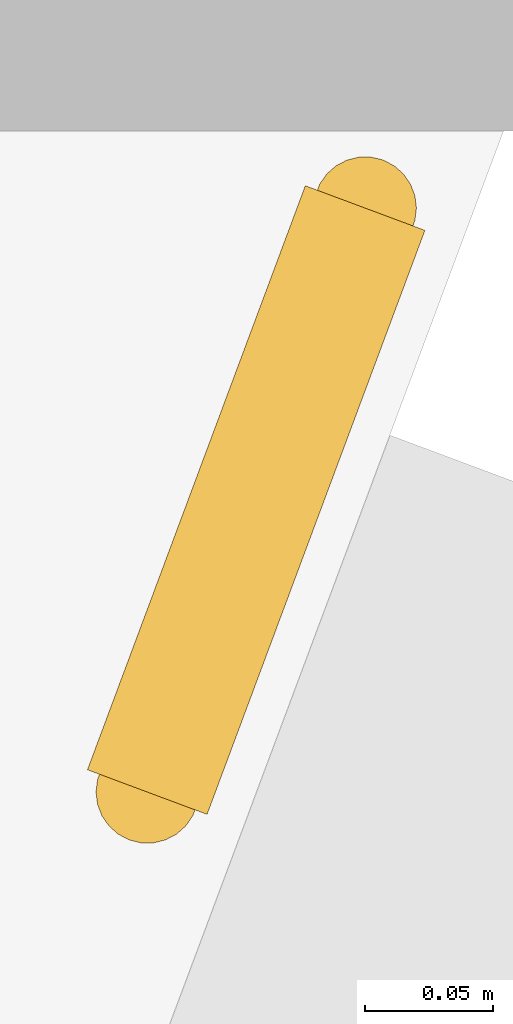
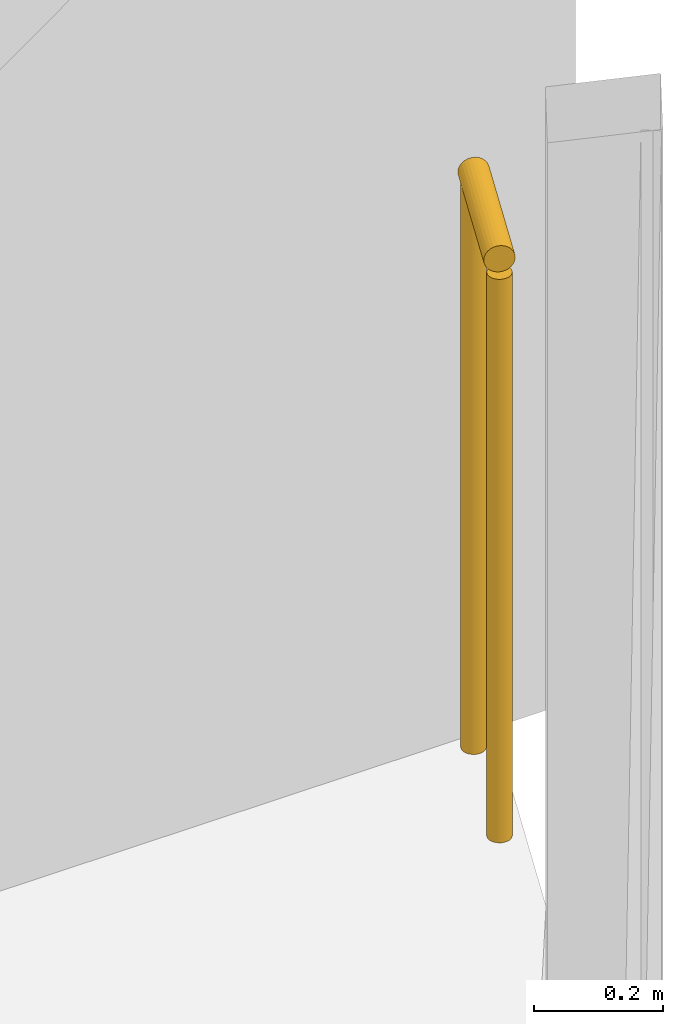
# One storey, part 30 of 31: 1 railing.
"""IFC4 building model written with IfcOpenShell, lengths in metres."""

from ifc_helpers import new_model, si_unit, direction, frame, origin, origin_2d, place, context, subcontext, project, spatial, circle, extrude, material, type_object, element, save


model = new_model("IFC4")

# Units and contexts
model_context = context("Model", 3, precision=1e-05, world=origin(), true_north=direction((0.0, 1.0)))
body_context = subcontext(model_context, "Body", "Model", "MODEL_VIEW")
ifc_project = project(units=[si_unit("LENGTHUNIT", "METRE"), si_unit("AREAUNIT", "SQUARE_METRE"), si_unit("VOLUMEUNIT", "CUBIC_METRE"), si_unit("PLANEANGLEUNIT", "RADIAN"), si_unit("MASSUNIT", "GRAM", prefix="KILO")], contexts=[model_context])

# Site, building, storey
site_placement = place(None, origin())
site = spatial("IfcSite", under=ifc_project, at=site_placement, CompositionType="ELEMENT")
building_placement = place(site_placement, origin())
building = spatial("IfcBuilding", under=site, at=building_placement, Name="Orlundy Tower", CompositionType="ELEMENT")
storey_placement = place(building_placement, frame((0.0, 0.0, 94.699951171875)))
storey = spatial("IfcBuildingStorey", under=building, at=storey_placement, Name="L23", CompositionType="ELEMENT", Elevation=94.699951171875)

# Railing
ifc_material = material(Name="Stainless steel bronze finish", Category="steel")
railing_type = type_object("IfcRailingType", Name="TG1 terrace guard", PredefinedType="GUARDRAIL", material=ifc_material)
railing_placement = place(storey_placement, frame((52.172607421875, -30.242919921875, 0.0)))
element("IfcRailing", 1, at=railing_placement, inside=storey, type_object=railing_type, Name="Guard TG-L23-E00", PredefinedType="GUARDRAIL", context=body_context, shape_type="SweptSolid", body=[
    extrude(circle(Radius=0.02490234375, at=origin_2d()), frame((0.0, 0.0, 1.09521484375), z_axis=(-0.34947210653, -0.936946768369, 0.0), x_axis=(0.936946768369, -0.34947210653, 0.0)), (0.0, 0.0, 1.0), 0.2431640625),
    extrude(circle(Radius=0.02001953125, at=origin_2d()), origin(), (0.0, 0.0, 1.0), 1.070068359375),
    extrude(circle(Radius=0.02001953125, at=origin_2d()), frame((-0.0849609375, -0.227783203125, 0.0)), (0.0, 0.0, 1.0), 1.070068359375),
])

save(model, "model.ifc")
